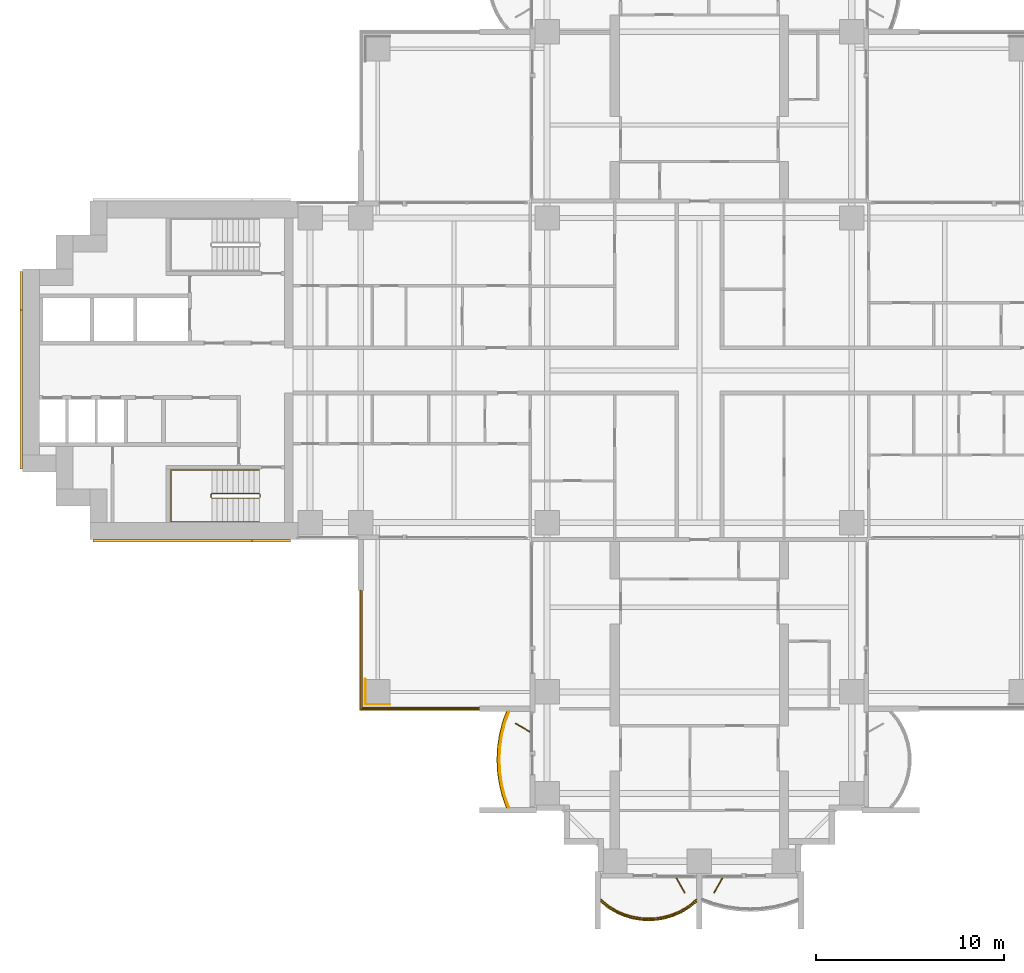
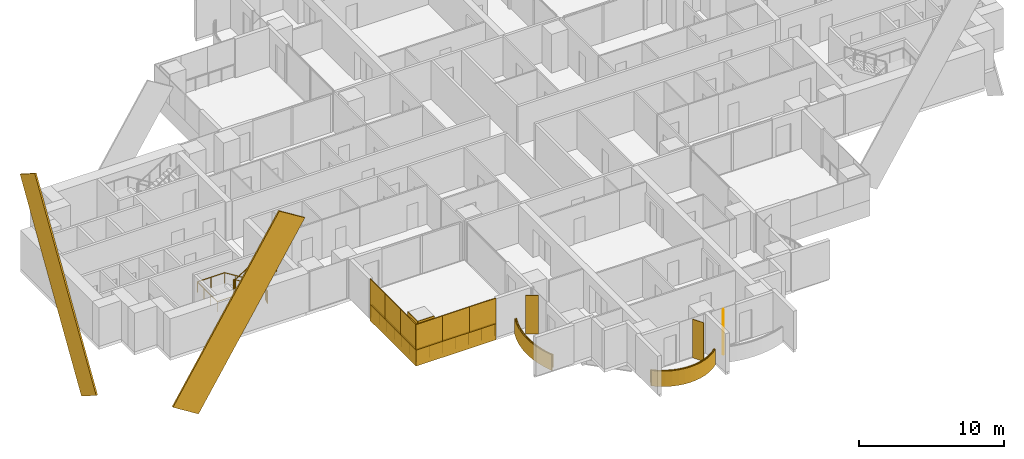
# One storey, part 18 of 21: 13 coverings, 5 railings, 3 shading devices.
"""IFC4 building model written with IfcOpenShell, lengths in metres."""

from ifc_helpers import new_model, si_unit, direction, frame, origin, origin_2d, place, context, subcontext, project, spatial, polyline, rectangle, outline, extrude, material, layer, layer_set, material_profile, profile_set, type_object, element, save


model = new_model("IFC4")

# Units and contexts
model_context = context("Model", 3, precision=1e-05, world=origin(), true_north=direction((0.0, 1.0)))
body_context = subcontext(model_context, "Body", "Model", "MODEL_VIEW")
ifc_project = project(units=[si_unit("LENGTHUNIT", "METRE"), si_unit("AREAUNIT", "SQUARE_METRE"), si_unit("VOLUMEUNIT", "CUBIC_METRE"), si_unit("PLANEANGLEUNIT", "RADIAN"), si_unit("MASSUNIT", "GRAM", prefix="KILO")], contexts=[model_context])

# Site, building, storey
site_placement = place(None, origin())
site = spatial("IfcSite", under=ifc_project, at=site_placement, CompositionType="ELEMENT")
building_placement = place(site_placement, origin())
building = spatial("IfcBuilding", under=site, at=building_placement, Name="Perihelion Cross Residences", CompositionType="ELEMENT")
storey_placement = place(building_placement, frame((0.0, 0.0, 75.0)))
storey = spatial("IfcBuildingStorey", under=building, at=storey_placement, Name="L16", CompositionType="ELEMENT", Elevation=75.0)

# Coverings
ifc_material_1 = material(Name="Bronze anodised aluminium", Category="aluminium")
ifc_layer_1 = layer(ifc_material_1, 0.070068359375)
ifc_layer_set_1 = layer_set([ifc_layer_1], Name="Balcony fascia 1300")
covering_type_1 = type_object("IfcCoveringType", Name="Balcony fascia 1300", PredefinedType="CLADDING", material=ifc_layer_set_1)
covering_1_placement = place(storey_placement, frame((0.0, 0.0, -0.199951171875)))
element("IfcCovering", 1, at=covering_1_placement, inside=storey, type_object=covering_type_1, Name="Fascia BF1 L16 south side west bay 2", PredefinedType="CLADDING", context=body_context, shape_type="SweptSolid", body=[
    extrude(outline(polyline([(-10.49072265625, -18.767578125), (-10.647216796875, -19.411865234375), (-10.739501953125, -20.055908203125), (-10.77001953125, -20.699951171875), (-10.739501953125, -21.34423828125), (-10.647216796875, -21.98828125), (-10.49072265625, -22.63232421875), (-10.274169921875, -23.25), (-10.199951171875, -23.25), (-10.423583984375, -22.612548828125), (-10.57861328125, -21.97509765625), (-10.669921875, -21.33740234375), (-10.699951171875, -20.699951171875), (-10.669921875, -20.0625), (-10.57861328125, -19.425048828125), (-10.423583984375, -18.78759765625), (-10.199951171875, -18.14990234375), (-10.274169921875, -18.14990234375), (-10.49072265625, -18.767578125)])), origin(), (0.0, 0.0, 1.0), 1.300048828125),
])
covering_2_placement = place(storey_placement, frame((0.0, 0.0, -0.199951171875)))
element("IfcCovering", 2, at=covering_2_placement, inside=storey, type_object=covering_type_1, Name="Fascia BF1 L16 south tip south bay 1", PredefinedType="CLADDING", context=body_context, shape_type="SweptSolid", body=[
    extrude(outline(polyline([(-4.86474609375, -28.59765625), (-4.431884765625, -28.85498046875), (-3.998779296875, -29.04248046875), (-3.56591796875, -29.170654296875), (-3.133056640625, -29.245361328125), (-2.699951171875, -29.27001953125), (-2.26708984375, -29.245361328125), (-1.833984375, -29.170654296875), (-1.401123046875, -29.04248046875), (-0.96826171875, -28.85498046875), (-0.53515625, -28.59765625), (-0.14990234375, -28.28955078125), (-0.14990234375, -28.199951171875), (-0.574951171875, -28.5400390625), (-1.0, -28.792724609375), (-1.425048828125, -28.9765625), (-1.85009765625, -29.1025390625), (-2.27490234375, -29.17578125), (-2.699951171875, -29.199951171875), (-3.125, -29.17578125), (-3.550048828125, -29.1025390625), (-3.97509765625, -28.9765625), (-4.39990234375, -28.792724609375), (-4.824951171875, -28.5400390625), (-5.25, -28.199951171875), (-5.25, -28.28955078125), (-4.86474609375, -28.59765625)])), origin(), (0.0, 0.0, 1.0), 1.300048828125),
])

# Railings
ifc_material_2 = material(Name="Bronze anodised aluminium", Category="aluminium")
railing_type_1 = type_object("IfcRailingType", Name="Balcony guard 1100", PredefinedType="GUARDRAIL", material=ifc_material_2)
railing_1_placement = place(storey_placement, frame((-10.139892578125, -18.175048828125, 0.0)))
element("IfcRailing", 3, at=railing_1_placement, inside=storey, type_object=railing_type_1, Name="Guard GU1 L16 south side west bay 2 balcony", PredefinedType="GUARDRAIL", context=body_context, shape_type="SweptSolid", body=[
    extrude(rectangle(XDim=0.048095703125, YDim=0.048095703125, at=origin_2d()), frame((0.0, 0.0, 1.076171875), z_axis=(-0.342945217749, -0.939355405384, 0.0), x_axis=(0.939355405384, -0.342945217749, 0.0)), (0.0, 0.0, 1.0), 0.652099609375),
    extrude(rectangle(XDim=0.048095703125, YDim=0.048095703125, at=origin_2d()), frame((-0.2236328125, -0.612548828125, 1.076171875), z_axis=(-0.236313594268, -0.971676841941, 0.0), x_axis=(0.971676841941, -0.236313594268, 0.0)), (0.0, 0.0, 1.0), 0.656005859375),
    extrude(rectangle(XDim=0.048095703125, YDim=0.048095703125, at=origin_2d()), frame((-0.378662109375, -1.25, 1.076171875), z_axis=(-0.141792889142, -0.989896346386, 0.0), x_axis=(0.989896346386, -0.141792889142, 0.0)), (0.0, 0.0, 1.0), 0.64404296875),
    extrude(rectangle(XDim=0.048095703125, YDim=0.048095703125, at=origin_2d()), frame((-0.469970703125, -1.887451171875, 1.076171875), z_axis=(-0.04705620296, -0.998892243319, 0.0), x_axis=(0.998892243319, -0.04705620296, 0.0)), (0.0, 0.0, 1.0), 0.63818359375),
    extrude(rectangle(XDim=0.048095703125, YDim=0.048095703125, at=origin_2d()), frame((-0.5, -2.52490234375, 1.076171875), z_axis=(0.04705620296, -0.998892243319, 0.0), x_axis=(0.998892243319, 0.04705620296, 0.0)), (0.0, 0.0, 1.0), 0.63818359375),
    extrude(rectangle(XDim=0.048095703125, YDim=0.048095703125, at=origin_2d()), frame((-0.469970703125, -3.162353515625, 1.076171875), z_axis=(0.141739694763, -0.989903964498, 0.0), x_axis=(0.989903964498, 0.141739694763, 0.0)), (0.0, 0.0, 1.0), 0.644287109375),
    extrude(rectangle(XDim=0.048095703125, YDim=0.048095703125, at=origin_2d()), frame((-0.378662109375, -3.800048828125, 1.076171875), z_axis=(0.236313594268, -0.971676841941, 0.0), x_axis=(0.971676841941, 0.236313594268, 0.0)), (0.0, 0.0, 1.0), 0.656005859375),
    extrude(rectangle(XDim=0.048095703125, YDim=0.048095703125, at=origin_2d()), frame((-0.2236328125, -4.4375, 1.076171875), z_axis=(0.342945217749, -0.939355405384, 0.0), x_axis=(0.939355405384, 0.342945217749, 0.0)), (0.0, 0.0, 1.0), 0.652099609375),
    extrude(rectangle(XDim=0.0419921875, YDim=0.0419921875, at=origin_2d()), origin(), (0.0, 0.0, 1.0), 1.052001953125),
    extrude(rectangle(XDim=0.0419921875, YDim=0.0419921875, at=origin_2d()), frame((-0.2236328125, -0.612548828125, 0.0)), (0.0, 0.0, 1.0), 1.052001953125),
    extrude(rectangle(XDim=0.0419921875, YDim=0.0419921875, at=origin_2d()), frame((-0.378662109375, -1.25, 0.0)), (0.0, 0.0, 1.0), 1.052001953125),
    extrude(rectangle(XDim=0.0419921875, YDim=0.0419921875, at=origin_2d()), frame((-0.469970703125, -1.887451171875, 0.0)), (0.0, 0.0, 1.0), 1.052001953125),
    extrude(rectangle(XDim=0.0419921875, YDim=0.0419921875, at=origin_2d()), frame((-0.5, -2.52490234375, 0.0)), (0.0, 0.0, 1.0), 1.052001953125),
    extrude(rectangle(XDim=0.0419921875, YDim=0.0419921875, at=origin_2d()), frame((-0.469970703125, -3.162353515625, 0.0)), (0.0, 0.0, 1.0), 1.052001953125),
    extrude(rectangle(XDim=0.0419921875, YDim=0.0419921875, at=origin_2d()), frame((-0.378662109375, -3.800048828125, 0.0)), (0.0, 0.0, 1.0), 1.052001953125),
    extrude(rectangle(XDim=0.0419921875, YDim=0.0419921875, at=origin_2d()), frame((-0.2236328125, -4.4375, 0.0)), (0.0, 0.0, 1.0), 1.052001953125),
    extrude(rectangle(XDim=0.0419921875, YDim=0.0419921875, at=origin_2d()), frame((0.0, -5.050048828125, 0.0)), (0.0, 0.0, 1.0), 1.052001953125),
])
railing_2_placement = place(storey_placement, frame((-5.22509765625, -28.139892578125, 0.0)))
element("IfcRailing", 4, at=railing_2_placement, inside=storey, type_object=railing_type_1, Name="Guard GU1 L16 south tip south bay 1 balcony", PredefinedType="GUARDRAIL", context=body_context, shape_type="SweptSolid", body=[
    extrude(rectangle(XDim=0.048095703125, YDim=0.048095703125, at=origin_2d()), frame((0.0, 0.0, 1.076171875), z_axis=(0.761973728849, -0.647607934281, 0.0), x_axis=(0.647607934281, 0.761973728849, 0.0)), (0.0, 0.0, 1.0), 0.525146484375),
    extrude(rectangle(XDim=0.048095703125, YDim=0.048095703125, at=origin_2d()), frame((0.400146484375, -0.340087890625, 1.076171875), z_axis=(0.859576918062, -0.511006381501, 0.0), x_axis=(0.511006381501, 0.859576918062, 0.0)), (0.0, 0.0, 1.0), 0.494384765625),
    extrude(rectangle(XDim=0.048095703125, YDim=0.048095703125, at=origin_2d()), frame((0.8251953125, -0.5927734375, 1.076171875), z_axis=(0.91755562531, -0.397607437634, 0.0), x_axis=(0.397607437634, 0.91755562531, 0.0)), (0.0, 0.0, 1.0), 0.462890625),
    extrude(rectangle(XDim=0.048095703125, YDim=0.048095703125, at=origin_2d()), frame((1.25, -0.77685546875, 1.076171875), z_axis=(0.958925815697, -0.283656975924, 0.0), x_axis=(0.283656975924, 0.958925815697, 0.0)), (0.0, 0.0, 1.0), 0.443359375),
    extrude(rectangle(XDim=0.048095703125, YDim=0.048095703125, at=origin_2d()), frame((1.675048828125, -0.902587890625, 1.076171875), z_axis=(0.985381583142, -0.17036177859, 0.0), x_axis=(0.17036177859, 0.985381583142, 0.0)), (0.0, 0.0, 1.0), 0.431396484375),
    extrude(rectangle(XDim=0.048095703125, YDim=0.048095703125, at=origin_2d()), frame((2.10009765625, -0.97607421875, 1.076171875), z_axis=(0.9984195016, -0.056200523353, 0.0), x_axis=(0.056200523353, 0.9984195016, 0.0)), (0.0, 0.0, 1.0), 0.42578125),
    extrude(rectangle(XDim=0.048095703125, YDim=0.048095703125, at=origin_2d()), frame((2.525146484375, -1.0, 1.076171875), z_axis=(0.9984195016, 0.056200523353, 0.0), x_axis=(-0.056200523353, 0.9984195016, 0.0)), (0.0, 0.0, 1.0), 0.42578125),
    extrude(rectangle(XDim=0.048095703125, YDim=0.048095703125, at=origin_2d()), frame((2.9501953125, -0.97607421875, 1.076171875), z_axis=(0.985365142702, 0.170456843651, 0.0), x_axis=(-0.170456843651, 0.985365142702, 0.0)), (0.0, 0.0, 1.0), 0.43115234375),
    extrude(rectangle(XDim=0.048095703125, YDim=0.048095703125, at=origin_2d()), frame((3.375, -0.902587890625, 1.076171875), z_axis=(0.958925815697, 0.283656975924, 0.0), x_axis=(-0.283656975924, 0.958925815697, 0.0)), (0.0, 0.0, 1.0), 0.443359375),
    extrude(rectangle(XDim=0.048095703125, YDim=0.048095703125, at=origin_2d()), frame((3.800048828125, -0.77685546875, 1.076171875), z_axis=(0.917638931453, 0.397415137459, 0.0), x_axis=(-0.397415137459, 0.917638931453, 0.0)), (0.0, 0.0, 1.0), 0.463134765625),
    extrude(rectangle(XDim=0.048095703125, YDim=0.048095703125, at=origin_2d()), frame((4.22509765625, -0.5927734375, 1.076171875), z_axis=(0.859576918062, 0.511006381501, 0.0), x_axis=(-0.511006381501, 0.859576918062, 0.0)), (0.0, 0.0, 1.0), 0.494384765625),
    extrude(rectangle(XDim=0.048095703125, YDim=0.048095703125, at=origin_2d()), frame((4.650146484375, -0.340087890625, 1.076171875), z_axis=(0.761778647315, 0.647837396648, 0.0), x_axis=(-0.647837396648, 0.761778647315, 0.0)), (0.0, 0.0, 1.0), 0.52490234375),
    extrude(rectangle(XDim=0.0419921875, YDim=0.0419921875, at=origin_2d()), origin(), (0.0, 0.0, 1.0), 1.052001953125),
    extrude(rectangle(XDim=0.0419921875, YDim=0.0419921875, at=origin_2d()), frame((0.400146484375, -0.340087890625, 0.0)), (0.0, 0.0, 1.0), 1.052001953125),
    extrude(rectangle(XDim=0.0419921875, YDim=0.0419921875, at=origin_2d()), frame((0.8251953125, -0.5927734375, 0.0)), (0.0, 0.0, 1.0), 1.052001953125),
    extrude(rectangle(XDim=0.0419921875, YDim=0.0419921875, at=origin_2d()), frame((1.25, -0.77685546875, 0.0)), (0.0, 0.0, 1.0), 1.052001953125),
    extrude(rectangle(XDim=0.0419921875, YDim=0.0419921875, at=origin_2d()), frame((1.675048828125, -0.902587890625, 0.0)), (0.0, 0.0, 1.0), 1.052001953125),
    extrude(rectangle(XDim=0.0419921875, YDim=0.0419921875, at=origin_2d()), frame((2.10009765625, -0.97607421875, 0.0)), (0.0, 0.0, 1.0), 1.052001953125),
    extrude(rectangle(XDim=0.0419921875, YDim=0.0419921875, at=origin_2d()), frame((2.525146484375, -1.0, 0.0)), (0.0, 0.0, 1.0), 1.052001953125),
    extrude(rectangle(XDim=0.0419921875, YDim=0.0419921875, at=origin_2d()), frame((2.9501953125, -0.97607421875, 0.0)), (0.0, 0.0, 1.0), 1.052001953125),
    extrude(rectangle(XDim=0.0419921875, YDim=0.0419921875, at=origin_2d()), frame((3.375, -0.902587890625, 0.0)), (0.0, 0.0, 1.0), 1.052001953125),
    extrude(rectangle(XDim=0.0419921875, YDim=0.0419921875, at=origin_2d()), frame((3.800048828125, -0.77685546875, 0.0)), (0.0, 0.0, 1.0), 1.052001953125),
    extrude(rectangle(XDim=0.0419921875, YDim=0.0419921875, at=origin_2d()), frame((4.22509765625, -0.5927734375, 0.0)), (0.0, 0.0, 1.0), 1.052001953125),
    extrude(rectangle(XDim=0.0419921875, YDim=0.0419921875, at=origin_2d()), frame((4.650146484375, -0.340087890625, 0.0)), (0.0, 0.0, 1.0), 1.052001953125),
    extrude(rectangle(XDim=0.0419921875, YDim=0.0419921875, at=origin_2d()), frame((5.050048828125, 0.0, 0.0)), (0.0, 0.0, 1.0), 1.052001953125),
])
railing_3_placement = place(storey_placement, frame((-11.739990234375, -17.93994140625, 0.0)))
element("IfcRailing", 5, at=railing_3_placement, inside=storey, type_object=railing_type_1, Name="Guard GU1 L16 pocket south-west 1", PredefinedType="GUARDRAIL", context=body_context, shape_type="SweptSolid", body=[
    extrude(rectangle(XDim=0.048095703125, YDim=0.048095703125, at=origin_2d()), frame((0.0, 0.0, 1.076171875), z_axis=(-1.0, 0.0, 0.0), x_axis=(0.0, -1.0, 0.0)), (0.0, 0.0, 1.0), 6.199951171875),
    extrude(rectangle(XDim=0.048095703125, YDim=0.048095703125, at=origin_2d()), frame((-6.199951171875, 0.0, 1.076171875), z_axis=(0.0, 1.0, 0.0), x_axis=(-1.0, 0.0, 0.0)), (0.0, 0.0, 1.0), 6.199951171875),
    extrude(rectangle(XDim=0.0419921875, YDim=0.0419921875, at=origin_2d()), origin(), (0.0, 0.0, 1.0), 1.052001953125),
    extrude(rectangle(XDim=0.0419921875, YDim=0.0419921875, at=origin_2d()), frame((-1.033203125, 0.0, 0.0)), (0.0, 0.0, 1.0), 1.052001953125),
    extrude(rectangle(XDim=0.0419921875, YDim=0.0419921875, at=origin_2d()), frame((-2.066650390625, 0.0, 0.0)), (0.0, 0.0, 1.0), 1.052001953125),
    extrude(rectangle(XDim=0.0419921875, YDim=0.0419921875, at=origin_2d()), frame((-3.10009765625, 0.0, 0.0)), (0.0, 0.0, 1.0), 1.052001953125),
    extrude(rectangle(XDim=0.0419921875, YDim=0.0419921875, at=origin_2d()), frame((-4.13330078125, 0.0, 0.0)), (0.0, 0.0, 1.0), 1.052001953125),
    extrude(rectangle(XDim=0.0419921875, YDim=0.0419921875, at=origin_2d()), frame((-5.16650390625, 0.0, 0.0)), (0.0, 0.0, 1.0), 1.052001953125),
    extrude(rectangle(XDim=0.0419921875, YDim=0.0419921875, at=origin_2d()), frame((-6.199951171875, 0.0, 0.0)), (0.0, 0.0, 1.0), 1.052001953125),
    extrude(rectangle(XDim=0.0419921875, YDim=0.0419921875, at=origin_2d()), frame((-6.199951171875, 1.033203125, 0.0)), (0.0, 0.0, 1.0), 1.052001953125),
    extrude(rectangle(XDim=0.0419921875, YDim=0.0419921875, at=origin_2d()), frame((-6.199951171875, 2.066650390625, 0.0)), (0.0, 0.0, 1.0), 1.052001953125),
    extrude(rectangle(XDim=0.0419921875, YDim=0.0419921875, at=origin_2d()), frame((-6.199951171875, 3.10009765625, 0.0)), (0.0, 0.0, 1.0), 1.052001953125),
    extrude(rectangle(XDim=0.0419921875, YDim=0.0419921875, at=origin_2d()), frame((-6.199951171875, 4.13330078125, 0.0)), (0.0, 0.0, 1.0), 1.052001953125),
    extrude(rectangle(XDim=0.0419921875, YDim=0.0419921875, at=origin_2d()), frame((-6.199951171875, 5.16650390625, 0.0)), (0.0, 0.0, 1.0), 1.052001953125),
    extrude(rectangle(XDim=0.0419921875, YDim=0.0419921875, at=origin_2d()), frame((-6.199951171875, 6.199951171875, 0.0)), (0.0, 0.0, 1.0), 1.052001953125),
])

# Coverings
ifc_material_3 = material(Name="Bronze anodised aluminium", Category="aluminium")
ifc_material_profile = material_profile(ifc_material_3, rectangle(XDim=0.125, YDim=2.39990234375, at=origin_2d()), Name="Bronze cladding band 2400")
ifc_profile_set = profile_set([ifc_material_profile], Name="Bronze anodised aluminium")
covering_type_2 = type_object("IfcCoveringType", Name="Bronze cladding band 2400", PredefinedType="CLADDING", material=ifc_profile_set)
for number, where, z_axis, x_axis, name in (
    (6, (-31.232421875, -9.0625, -4.805419921875), (0.529924750763, 0.0, 0.848044667767), (0.0, 1.0, 0.0), "Core cladding band, west core"),
    (7, (-36.0625, -4.232421875, -4.805419921875), (0.0, 0.529924750763, 0.848044667767), (-1.0, 0.0, 0.0), "Core cladding band, west core"),
):
    element("IfcCovering", number, at=place(storey_placement, frame(where, z_axis=z_axis, x_axis=x_axis)), inside=storey, type_object=covering_type_2, Name=name, PredefinedType="CLADDING", context=body_context, shape_type="SweptSolid", body=[
        extrude(rectangle(XDim=0.125, YDim=2.39990234375, at=origin_2d()), origin(), (0.0, 0.0, 1.0), 15.9736328125),
    ])
ifc_material_4 = material(Name="Bronze anodised aluminium", Category="aluminium")
ifc_layer_2 = layer(ifc_material_4, 0.0400390625)
ifc_layer_set_2 = layer_set([ifc_layer_2], Name="Bronze column casing 40")
covering_type_3 = type_object("IfcCoveringType", Name="Bronze column casing 40", PredefinedType="CLADDING", material=ifc_layer_set_2)
covering_3_placement = place(storey_placement, frame((-17.77001953125, -17.10009765625, -0.25), z_axis=(0.0, 0.0, 1.0), x_axis=(1.0, 0.0, 0.0)))
element("IfcCovering", 8, at=covering_3_placement, inside=storey, type_object=covering_type_3, Name="Cladding CC1 L16 casing east-west no. 1", PredefinedType="CLADDING", context=body_context, shape_type="SweptSolid", body=[
    extrude(rectangle(XDim=0.0400390625, YDim=1.3798828125, at=origin_2d()), origin(), (0.0, 0.0, 1.0), 3.5),
])
covering_4_placement = place(storey_placement, frame((-17.10009765625, -17.77001953125, -0.25), z_axis=(0.0, 0.0, 1.0), x_axis=(1.0, 0.0, 0.0)))
element("IfcCovering", 9, at=covering_4_placement, inside=storey, type_object=covering_type_3, Name="Cladding CC1 L16 casing north-south no. 1", PredefinedType="CLADDING", context=body_context, shape_type="SweptSolid", body=[
    extrude(rectangle(XDim=1.300048828125, YDim=0.0400390625, at=origin_2d()), origin(), (0.0, 0.0, 1.0), 3.5),
])

# Shading devices
ifc_material_5 = material(Name="Bronze anodised aluminium", Category="aluminium")
ifc_layer_3 = layer(ifc_material_5, 0.050048828125)
ifc_layer_set_3 = layer_set([ifc_layer_3], Name="Bronze fin 900")
shading_device_type = type_object("IfcShadingDeviceType", Name="Bronze fin 900", PredefinedType="USERDEFINED", material=ifc_layer_set_3)
for number, where, z_axis, x_axis, name in (
    (10, (-9.3896484375, -19.0, 0.0), (0.0, 0.0, 1.0), (-0.866025403784, 0.5, 0.0), "Fin FN1 L16 south side west bay 2"),
    (11, (-1.0, -27.3896484375, 0.0), (0.0, 0.0, 1.0), (0.5, -0.866025403784, 0.0), "Fin FN1 L16 south tip south bay 1"),
    (12, (1.0, -27.3896484375, 0.0), (0.0, 0.0, 1.0), (-0.5, -0.866025403784, 0.0), "Fin FN1 L16 south tip south bay 2"),
):
    element("IfcShadingDevice", number, at=place(storey_placement, frame(where, z_axis=z_axis, x_axis=x_axis)), inside=storey, type_object=shading_device_type, Name=name, ObjectType="FIN", PredefinedType="USERDEFINED", context=body_context, shape_type="SweptSolid", body=[
        extrude(rectangle(XDim=0.89990234375, YDim=0.050048828125, at=origin_2d()), origin(), (0.0, 0.0, 1.0), 3.25),
    ])

# Coverings
ifc_material_6 = material(Name="Bronze anodised aluminium", Category="aluminium")
ifc_layer_4 = layer(ifc_material_6, 0.070068359375)
ifc_layer_set_4 = layer_set([ifc_layer_4], Name="Pocket fascia 1350")
covering_type_4 = type_object("IfcCoveringType", Name="Pocket fascia 1350", PredefinedType="CLADDING", material=ifc_layer_set_4)
covering_5_placement = place(storey_placement, frame((0.0, 0.0, -0.25)))
element("IfcCovering", 13, at=covering_5_placement, inside=storey, type_object=covering_type_4, Name="Fascia BF2 L16 pocket south-west 1", PredefinedType="CLADDING", context=body_context, shape_type="SweptSolid", body=[
    extrude(outline(polyline([(-18.070068359375, -11.699951171875), (-18.070068359375, -18.070068359375), (-11.699951171875, -18.070068359375), (-11.699951171875, -18.0), (-18.0, -18.0), (-18.0, -11.699951171875), (-18.070068359375, -11.699951171875)])), origin(), (0.0, 0.0, 1.0), 1.35009765625),
])
ifc_material_7 = material(Name="Bronze perforated aluminium", Category="aluminium")
ifc_layer_5 = layer(ifc_material_7, 0.070068359375)
ifc_layer_set_5 = layer_set([ifc_layer_5], Name="Pocket solar screen, bronze perforated")
covering_type_5 = type_object("IfcCoveringType", Name="Pocket solar screen, bronze perforated", PredefinedType="CLADDING", material=ifc_layer_set_5)
covering_6_placement = place(storey_placement, frame((0.0, 0.0, 1.10009765625)))
element("IfcCovering", 14, at=covering_6_placement, inside=storey, type_object=covering_type_5, Name="Solar screen PS1 L16 pocket south-west no. 1", PredefinedType="CLADDING", context=body_context, shape_type="SweptSolid", body=[
    extrude(outline(polyline([(-18.0, -18.0), (-18.0, -15.89990234375), (-18.070068359375, -15.89990234375), (-18.070068359375, -18.0), (-18.0, -18.0)])), origin(), (0.0, 0.0, 1.0), 2.14990234375),
])
covering_7_placement = place(storey_placement, frame((0.0, 0.0, 1.10009765625)))
element("IfcCovering", 15, at=covering_7_placement, inside=storey, type_object=covering_type_5, Name="Solar screen PS1 L16 pocket south-west no. 2", PredefinedType="CLADDING", context=body_context, shape_type="SweptSolid", body=[
    extrude(outline(polyline([(-18.0, -15.89990234375), (-18.0, -13.800048828125), (-18.070068359375, -13.800048828125), (-18.070068359375, -15.89990234375), (-18.0, -15.89990234375)])), origin(), (0.0, 0.0, 1.0), 2.14990234375),
])
covering_8_placement = place(storey_placement, frame((0.0, 0.0, 1.10009765625)))
element("IfcCovering", 16, at=covering_8_placement, inside=storey, type_object=covering_type_5, Name="Solar screen PS1 L16 pocket south-west no. 3", PredefinedType="CLADDING", context=body_context, shape_type="SweptSolid", body=[
    extrude(outline(polyline([(-18.0, -13.800048828125), (-18.0, -11.699951171875), (-18.070068359375, -11.699951171875), (-18.070068359375, -13.800048828125), (-18.0, -13.800048828125)])), origin(), (0.0, 0.0, 1.0), 2.14990234375),
])
covering_9_placement = place(storey_placement, frame((0.0, 0.0, 1.10009765625)))
element("IfcCovering", 17, at=covering_9_placement, inside=storey, type_object=covering_type_5, Name="Solar screen PS1 L16 pocket south-west no. 4", PredefinedType="CLADDING", context=body_context, shape_type="SweptSolid", body=[
    extrude(outline(polyline([(-15.94677734375, -18.070068359375), (-15.94677734375, -18.0), (-18.070068359375, -18.0), (-18.070068359375, -18.070068359375), (-15.94677734375, -18.070068359375)])), origin(), (0.0, 0.0, 1.0), 2.14990234375),
])
covering_10_placement = place(storey_placement, frame((0.0, 0.0, 1.10009765625)))
element("IfcCovering", 18, at=covering_10_placement, inside=storey, type_object=covering_type_5, Name="Solar screen PS1 L16 pocket south-west no. 5", PredefinedType="CLADDING", context=body_context, shape_type="SweptSolid", body=[
    extrude(outline(polyline([(-13.8232421875, -18.070068359375), (-13.8232421875, -18.0), (-15.94677734375, -18.0), (-15.94677734375, -18.070068359375), (-13.8232421875, -18.070068359375)])), origin(), (0.0, 0.0, 1.0), 2.14990234375),
])
covering_11_placement = place(storey_placement, frame((0.0, 0.0, 1.10009765625)))
element("IfcCovering", 19, at=covering_11_placement, inside=storey, type_object=covering_type_5, Name="Solar screen PS1 L16 pocket south-west no. 6", PredefinedType="CLADDING", context=body_context, shape_type="SweptSolid", body=[
    extrude(outline(polyline([(-11.699951171875, -18.070068359375), (-11.699951171875, -18.0), (-13.8232421875, -18.0), (-13.8232421875, -18.070068359375), (-11.699951171875, -18.070068359375)])), origin(), (0.0, 0.0, 1.0), 2.14990234375),
])

# Railings
ifc_material_8 = material(Name="Stainless steel", Category="steel")
railing_type_2 = type_object("IfcRailingType", Name="Stair guard 1100", PredefinedType="GUARDRAIL", material=ifc_material_8)
railing_4_placement = place(storey_placement, frame((-23.35009765625, -6.75, 0.0)))
element("IfcRailing", 20, at=railing_4_placement, inside=storey, type_object=railing_type_2, Name="L16 ST-W2 stair guard 1", PredefinedType="GUARDRAIL", context=body_context, shape_type="SweptSolid", body=[
    extrude(rectangle(XDim=0.048095703125, YDim=0.048095703125, at=origin_2d()), frame((0.0, 0.0, 1.076171875), z_axis=(0.0, 1.0, 0.0), x_axis=(-1.0, 0.0, 0.0)), (0.0, 0.0, 1.0), 0.14990234375),
    extrude(rectangle(XDim=0.048095703125, YDim=0.048095703125, at=origin_2d()), frame((0.0, 0.14990234375, 1.076171875), z_axis=(-0.263862480399, 0.265155923931, 0.927399011991), x_axis=(-0.708833529934, -0.705375805398, 0.0)), (0.0, 0.0, 1.0), 0.188720703125),
    extrude(rectangle(XDim=0.048095703125, YDim=0.048095703125, at=origin_2d()), frame((-0.0498046875, 0.199951171875, 1.2509765625), z_axis=(-0.848007534815, 0.0, 0.529984170421), x_axis=(0.0, -1.0, 0.0)), (0.0, 0.0, 1.0), 2.9716796875),
    extrude(rectangle(XDim=0.048095703125, YDim=0.048095703125, at=origin_2d()), frame((-2.56982421875, 0.199951171875, 2.826171875), z_axis=(-0.707106781187, -0.707106781187, 0.0), x_axis=(0.707106781187, -0.707106781187, 0.0)), (0.0, 0.0, 1.0), 0.07080078125),
    extrude(rectangle(XDim=0.048095703125, YDim=0.048095703125, at=origin_2d()), frame((-2.619873046875, 0.14990234375, 2.826171875), z_axis=(0.0, -1.0, 0.0), x_axis=(1.0, 0.0, 0.0)), (0.0, 0.0, 1.0), 0.14990234375),
    extrude(rectangle(XDim=0.048095703125, YDim=0.048095703125, at=origin_2d()), frame((-2.619873046875, 0.0, 2.826171875), z_axis=(0.265065253269, -0.265065253269, 0.927081885822), x_axis=(0.707106781187, 0.707106781187, 0.0)), (0.0, 0.0, 1.0), 0.188720703125),
    extrude(rectangle(XDim=0.048095703125, YDim=0.048095703125, at=origin_2d()), frame((-2.56982421875, -0.050048828125, 3.0009765625), z_axis=(0.848007534815, 0.0, 0.529984170421), x_axis=(0.0, 1.0, 0.0)), (0.0, 0.0, 1.0), 2.9716796875),
    extrude(rectangle(XDim=0.0419921875, YDim=0.0419921875, at=origin_2d()), origin(), (0.0, 0.0, 1.0), 1.052001953125),
    extrude(rectangle(XDim=0.0419921875, YDim=0.0419921875, at=origin_2d()), frame((0.0, 0.14990234375, 0.0)), (0.0, 0.0, 1.0), 1.052001953125),
    extrude(rectangle(XDim=0.0419921875, YDim=0.0419921875, at=origin_2d()), frame((-0.0498046875, 0.199951171875, 0.175048828125)), (0.0, 0.0, 1.0), 1.052001953125),
    extrude(rectangle(XDim=0.0419921875, YDim=0.0419921875, at=origin_2d()), frame((-0.889892578125, 0.199951171875, 0.699951171875)), (0.0, 0.0, 1.0), 1.052001953125),
    extrude(rectangle(XDim=0.0419921875, YDim=0.0419921875, at=origin_2d()), frame((-1.729736328125, 0.199951171875, 1.22509765625)), (0.0, 0.0, 1.0), 1.052001953125),
    extrude(rectangle(XDim=0.0419921875, YDim=0.0419921875, at=origin_2d()), frame((-2.56982421875, 0.199951171875, 1.75)), (0.0, 0.0, 1.0), 1.052001953125),
    extrude(rectangle(XDim=0.0419921875, YDim=0.0419921875, at=origin_2d()), frame((-2.619873046875, 0.14990234375, 1.75)), (0.0, 0.0, 1.0), 1.052001953125),
    extrude(rectangle(XDim=0.0419921875, YDim=0.0419921875, at=origin_2d()), frame((-2.619873046875, 0.0, 1.75)), (0.0, 0.0, 1.0), 1.052001953125),
    extrude(rectangle(XDim=0.0419921875, YDim=0.0419921875, at=origin_2d()), frame((-2.56982421875, -0.050048828125, 1.925048828125)), (0.0, 0.0, 1.0), 1.052001953125),
    extrude(rectangle(XDim=0.0419921875, YDim=0.0419921875, at=origin_2d()), frame((-1.729736328125, -0.050048828125, 2.449951171875)), (0.0, 0.0, 1.0), 1.052001953125),
    extrude(rectangle(XDim=0.0419921875, YDim=0.0419921875, at=origin_2d()), frame((-0.889892578125, -0.050048828125, 2.97509765625)), (0.0, 0.0, 1.0), 1.052001953125),
    extrude(rectangle(XDim=0.0419921875, YDim=0.0419921875, at=origin_2d()), frame((-0.0498046875, -0.050048828125, 3.5)), (0.0, 0.0, 1.0), 1.052001953125),
])
ifc_material_9 = material(Name="Stainless steel", Category="steel")
railing_type_3 = type_object("IfcRailingType", Name="Stair handrail 900", PredefinedType="HANDRAIL", material=ifc_material_9)
railing_5_placement = place(storey_placement, frame((-23.39990234375, -5.300048828125, 0.175048828125)))
element("IfcRailing", 21, at=railing_5_placement, inside=storey, type_object=railing_type_3, Name="L16 ST-W2 stair handrail 1", PredefinedType="HANDRAIL", context=body_context, shape_type="SweptSolid", body=[
    extrude(rectangle(XDim=0.048095703125, YDim=0.048095703125, at=origin_2d()), frame((0.0, 0.0, 0.8759765625), z_axis=(-0.848007534815, 0.0, 0.529984170421), x_axis=(0.0, -1.0, 0.0)), (0.0, 0.0, 1.0), 2.9716796875),
    extrude(rectangle(XDim=0.048095703125, YDim=0.048095703125, at=origin_2d()), frame((-2.52001953125, 0.0, 2.45068359375), z_axis=(-1.0, 0.0, 0.0), x_axis=(0.0, -1.0, 0.0)), (0.0, 0.0, 1.0), 2.18017578125),
    extrude(rectangle(XDim=0.048095703125, YDim=0.048095703125, at=origin_2d()), frame((-4.7001953125, 0.0, 2.45068359375), z_axis=(0.0, -1.0, 0.0), x_axis=(1.0, 0.0, 0.0)), (0.0, 0.0, 1.0), 2.75),
    extrude(rectangle(XDim=0.048095703125, YDim=0.048095703125, at=origin_2d()), frame((-4.7001953125, -2.75, 2.45068359375), z_axis=(1.0, 0.0, 0.0), x_axis=(0.0, 1.0, 0.0)), (0.0, 0.0, 1.0), 2.18017578125),
    extrude(rectangle(XDim=0.048095703125, YDim=0.048095703125, at=origin_2d()), frame((-2.52001953125, -2.75, 2.45068359375), z_axis=(0.0, 0.0, 1.0), x_axis=(1.0, 0.0, 0.0)), (0.0, 0.0, 1.0), 0.175048828125),
    extrude(rectangle(XDim=0.048095703125, YDim=0.048095703125, at=origin_2d()), frame((-2.52001953125, -2.75, 2.6259765625), z_axis=(0.848007534815, 0.0, 0.529984170421), x_axis=(0.0, 1.0, 0.0)), (0.0, 0.0, 1.0), 2.9716796875),
    extrude(rectangle(XDim=0.0419921875, YDim=0.0419921875, at=origin_2d()), origin(), (0.0, 0.0, 1.0), 0.851806640625),
    extrude(rectangle(XDim=0.0419921875, YDim=0.0419921875, at=origin_2d()), frame((-0.840087890625, 0.0, 0.52490234375)), (0.0, 0.0, 1.0), 0.851806640625),
    extrude(rectangle(XDim=0.0419921875, YDim=0.0419921875, at=origin_2d()), frame((-1.679931640625, 0.0, 1.050048828125)), (0.0, 0.0, 1.0), 0.851806640625),
    extrude(rectangle(XDim=0.0419921875, YDim=0.0419921875, at=origin_2d()), frame((-2.52001953125, 0.0, 1.574951171875)), (0.0, 0.0, 1.0), 0.851806640625),
    extrude(rectangle(XDim=0.0419921875, YDim=0.0419921875, at=origin_2d()), frame((-3.610107421875, 0.0, 1.574951171875)), (0.0, 0.0, 1.0), 0.851806640625),
    extrude(rectangle(XDim=0.0419921875, YDim=0.0419921875, at=origin_2d()), frame((-4.7001953125, 0.0, 1.574951171875)), (0.0, 0.0, 1.0), 0.851806640625),
    extrude(rectangle(XDim=0.0419921875, YDim=0.0419921875, at=origin_2d()), frame((-4.7001953125, -0.916748046875, 1.574951171875)), (0.0, 0.0, 1.0), 0.851806640625),
    extrude(rectangle(XDim=0.0419921875, YDim=0.0419921875, at=origin_2d()), frame((-4.7001953125, -1.833251953125, 1.574951171875)), (0.0, 0.0, 1.0), 0.851806640625),
    extrude(rectangle(XDim=0.0419921875, YDim=0.0419921875, at=origin_2d()), frame((-4.7001953125, -2.75, 1.574951171875)), (0.0, 0.0, 1.0), 0.851806640625),
    extrude(rectangle(XDim=0.0419921875, YDim=0.0419921875, at=origin_2d()), frame((-3.610107421875, -2.75, 1.574951171875)), (0.0, 0.0, 1.0), 0.851806640625),
    extrude(rectangle(XDim=0.0419921875, YDim=0.0419921875, at=origin_2d()), frame((-2.52001953125, -2.75, 1.574951171875)), (0.0, 0.0, 1.0), 0.851806640625),
    extrude(rectangle(XDim=0.0419921875, YDim=0.0419921875, at=origin_2d()), frame((-2.52001953125, -2.75, 1.75)), (0.0, 0.0, 1.0), 0.851806640625),
    extrude(rectangle(XDim=0.0419921875, YDim=0.0419921875, at=origin_2d()), frame((-1.679931640625, -2.75, 2.27490234375)), (0.0, 0.0, 1.0), 0.851806640625),
    extrude(rectangle(XDim=0.0419921875, YDim=0.0419921875, at=origin_2d()), frame((-0.840087890625, -2.75, 2.800048828125)), (0.0, 0.0, 1.0), 0.851806640625),
    extrude(rectangle(XDim=0.0419921875, YDim=0.0419921875, at=origin_2d()), frame((0.0, -2.75, 3.324951171875)), (0.0, 0.0, 1.0), 0.851806640625),
])

save(model, "model.ifc")
